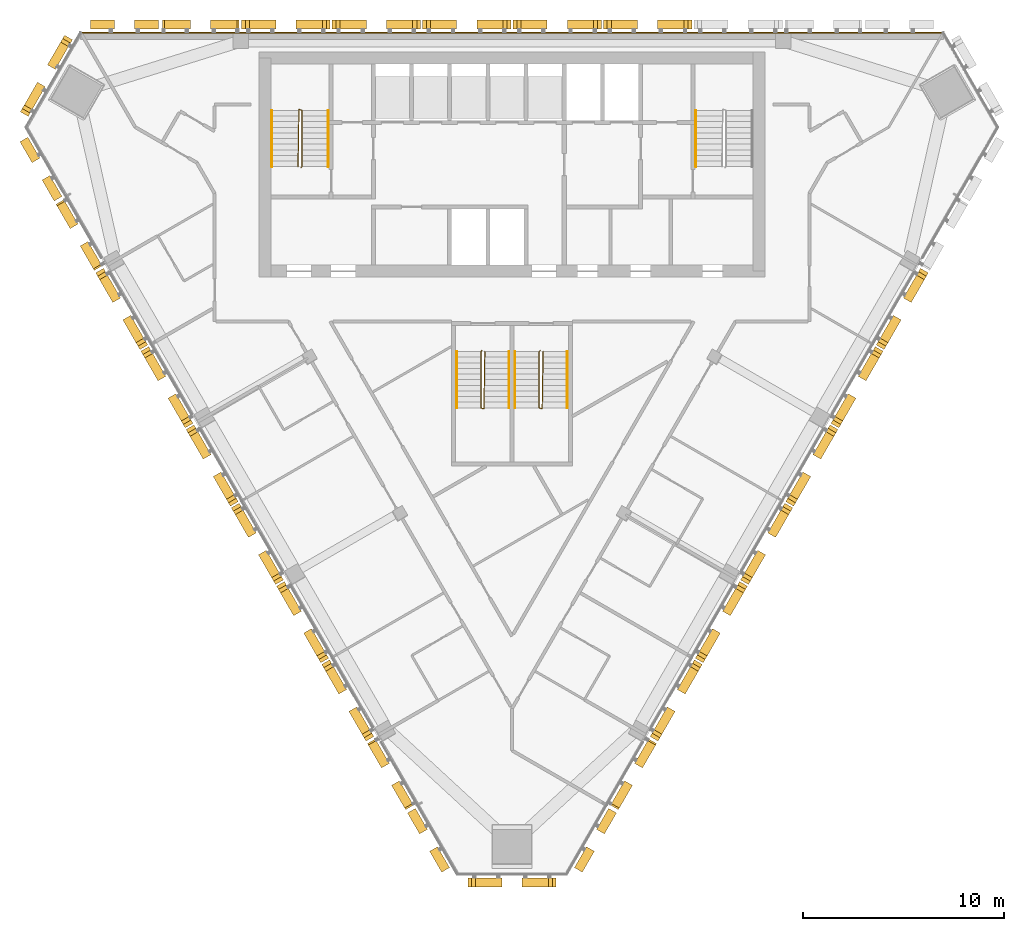
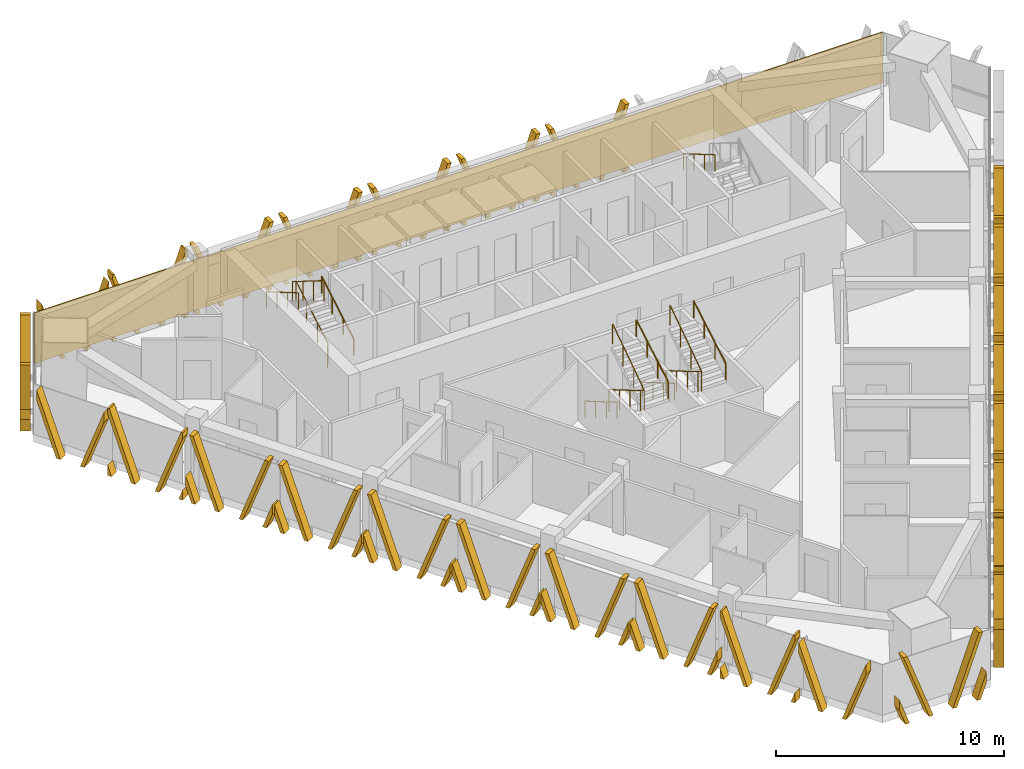
# One storey, part 12 of 14: 27 shading devices, 10 railings, 1 covering.
"""IFC4 building model written with IfcOpenShell, lengths in metres."""

from ifc_helpers import new_model, si_unit, direction, frame, frame_2d, origin, origin_2d, place, context, subcontext, project, spatial, polyline, rectangle, circle, outline, extrude, source, transform, mapped, material, layer, layer_set, type_object, element, save


model = new_model("IFC4")

# Units and contexts
model_context = context("Model", 3, precision=1e-05, world=origin(), true_north=direction((0.0, 1.0)))
body_context = subcontext(model_context, "Body", "Model", "MODEL_VIEW")
ifc_project = project(units=[si_unit("LENGTHUNIT", "METRE"), si_unit("AREAUNIT", "SQUARE_METRE"), si_unit("VOLUMEUNIT", "CUBIC_METRE"), si_unit("PLANEANGLEUNIT", "RADIAN"), si_unit("MASSUNIT", "GRAM", prefix="KILO")], contexts=[model_context])

# Site, building, storey
site_placement = place(None, origin())
site = spatial("IfcSite", under=ifc_project, at=site_placement, CompositionType="ELEMENT")
building_placement = place(site_placement, origin())
building = spatial("IfcBuilding", under=site, at=building_placement, Name="Altiplano Prism Tower", CompositionType="ELEMENT")
storey_placement = place(building_placement, frame((0.0, 0.0, 239.199951171875)))
storey = spatial("IfcBuildingStorey", under=building, at=storey_placement, Name="L61", CompositionType="ELEMENT", Elevation=239.199951171875)

# Railings
ifc_material_1 = material(Name="Steel S355", Category="steel")
railing_type_1 = type_object("IfcRailingType", Name="Stair guard 1100", PredefinedType="GUARDRAIL", material=ifc_material_1)
railing_1_placement = place(storey_placement, frame((74.5, 98.25, 0.0)))
element("IfcRailing", 1, at=railing_1_placement, inside=storey, type_object=railing_type_1, Name="L61 ST1 stair guard 1", PredefinedType="GUARDRAIL", context=body_context, shape_type="SweptSolid", body=[
    extrude(circle(Radius=0.02392578125, at=origin_2d()), frame((0.0, 0.0, 1.076171875), z_axis=(0.280808744504, 0.280808744504, 0.917765164963), x_axis=(-0.707106781187, 0.707106781187, 0.0)), (0.0, 0.0, 1.0), 0.17822265625),
    extrude(circle(Radius=0.02392578125, at=origin_2d()), frame((0.050048828125, 0.050048828125, 1.23974609375), z_axis=(0.0, 0.863360870873, 0.504586966384), x_axis=(-1.0, 0.0, 0.0)), (0.0, 0.0, 1.0), 3.2431640625),
    extrude(circle(Radius=0.02392578125, at=origin_2d()), frame((0.050048828125, 2.85009765625, 2.8759765625), z_axis=(-0.949145278916, 0.314838433982, 0.0), x_axis=(-0.314838433982, -0.949145278916, 0.0)), (0.0, 0.0, 1.0), 0.158203125),
    extrude(circle(Radius=0.02392578125, at=origin_2d()), frame((-0.10009765625, 2.89990234375, 2.8759765625), z_axis=(-0.01477401265, -0.845377694409, 0.533964682676), x_axis=(0.999847325713, -0.01747355902, 0.0)), (0.0, 0.0, 1.0), 3.37109375),
    extrude(circle(Radius=0.02099609375, at=origin_2d()), origin(), (0.0, 0.0, 1.0), 1.052001953125),
    extrude(circle(Radius=0.02099609375, at=origin_2d()), frame((0.050048828125, 0.050048828125, 0.16357421875)), (0.0, 0.0, 1.0), 1.052001953125),
    extrude(circle(Radius=0.02099609375, at=origin_2d()), frame((0.050048828125, 0.9833984375, 0.708984375)), (0.0, 0.0, 1.0), 1.052001953125),
    extrude(circle(Radius=0.02099609375, at=origin_2d()), frame((0.050048828125, 1.916748046875, 1.254638671875)), (0.0, 0.0, 1.0), 1.052001953125),
    extrude(circle(Radius=0.02099609375, at=origin_2d()), frame((0.050048828125, 2.85009765625, 1.800048828125)), (0.0, 0.0, 1.0), 1.052001953125),
    extrude(circle(Radius=0.02099609375, at=origin_2d()), frame((-0.10009765625, 2.89990234375, 1.800048828125)), (0.0, 0.0, 1.0), 1.052001953125),
    extrude(circle(Radius=0.02099609375, at=origin_2d()), frame((-0.11669921875, 1.949951171875, 2.400146484375)), (0.0, 0.0, 1.0), 1.052001953125),
    extrude(circle(Radius=0.02099609375, at=origin_2d()), frame((-0.13330078125, 1.0, 3.0)), (0.0, 0.0, 1.0), 1.052001953125),
    extrude(circle(Radius=0.02099609375, at=origin_2d()), frame((-0.14990234375, 0.050048828125, 3.60009765625)), (0.0, 0.0, 1.0), 1.052001953125),
])
railing_2_placement = place(storey_placement, frame((83.5, 89.14990234375, 0.0)))
element("IfcRailing", 2, at=railing_2_placement, inside=storey, type_object=railing_type_1, Name="L61 ST3A stair guard 1", PredefinedType="GUARDRAIL", context=body_context, shape_type="SweptSolid", body=[
    extrude(circle(Radius=0.02392578125, at=origin_2d()), frame((0.0, 0.0, 1.076171875), z_axis=(-0.280916556609, -0.279546231943, 0.91811752648), x_axis=(0.705375805398, -0.708833529934, 0.0)), (0.0, 0.0, 1.0), 0.17822265625),
    extrude(circle(Radius=0.02392578125, at=origin_2d()), frame((-0.050048828125, -0.0498046875, 1.23974609375), z_axis=(0.0, -0.863360870873, 0.504586966384), x_axis=(1.0, 0.0, 0.0)), (0.0, 0.0, 1.0), 3.2431640625),
    extrude(circle(Radius=0.02392578125, at=origin_2d()), frame((-0.050048828125, -2.849853515625, 2.8759765625), z_axis=(0.948683298051, -0.316227766017, 0.0), x_axis=(0.316227766017, 0.948683298051, 0.0)), (0.0, 0.0, 1.0), 0.158203125),
    extrude(circle(Radius=0.02392578125, at=origin_2d()), frame((0.10009765625, -2.89990234375, 2.8759765625), z_axis=(0.014773108175, 0.84539835705, 0.533931993021), x_axis=(-0.999847351862, 0.017472062685, 0.0)), (0.0, 0.0, 1.0), 3.371337890625),
    extrude(circle(Radius=0.02099609375, at=origin_2d()), origin(), (0.0, 0.0, 1.0), 1.052001953125),
    extrude(circle(Radius=0.02099609375, at=origin_2d()), frame((-0.050048828125, -0.0498046875, 0.16357421875)), (0.0, 0.0, 1.0), 1.052001953125),
    extrude(circle(Radius=0.02099609375, at=origin_2d()), frame((-0.050048828125, -0.983154296875, 0.708984375)), (0.0, 0.0, 1.0), 1.052001953125),
    extrude(circle(Radius=0.02099609375, at=origin_2d()), frame((-0.050048828125, -1.91650390625, 1.254638671875)), (0.0, 0.0, 1.0), 1.052001953125),
    extrude(circle(Radius=0.02099609375, at=origin_2d()), frame((-0.050048828125, -2.849853515625, 1.800048828125)), (0.0, 0.0, 1.0), 1.052001953125),
    extrude(circle(Radius=0.02099609375, at=origin_2d()), frame((0.10009765625, -2.89990234375, 1.800048828125)), (0.0, 0.0, 1.0), 1.052001953125),
    extrude(circle(Radius=0.02099609375, at=origin_2d()), frame((0.11669921875, -1.949951171875, 2.400146484375)), (0.0, 0.0, 1.0), 1.052001953125),
    extrude(circle(Radius=0.02099609375, at=origin_2d()), frame((0.13330078125, -0.999755859375, 3.0)), (0.0, 0.0, 1.0), 1.052001953125),
    extrude(circle(Radius=0.02099609375, at=origin_2d()), frame((0.14990234375, -0.0498046875, 3.60009765625)), (0.0, 0.0, 1.0), 1.052001953125),
])
railing_3_placement = place(storey_placement, frame((86.39990234375, 89.14990234375, 0.0)))
element("IfcRailing", 3, at=railing_3_placement, inside=storey, type_object=railing_type_1, Name="L61 ST3B stair guard 1", PredefinedType="GUARDRAIL", context=body_context, shape_type="SweptSolid", body=[
    extrude(circle(Radius=0.02392578125, at=origin_2d()), frame((0.0, 0.0, 1.076171875), z_axis=(-0.279653641804, -0.279653641804, 0.918470294159), x_axis=(0.707106781187, -0.707106781187, 0.0)), (0.0, 0.0, 1.0), 0.177978515625),
    extrude(circle(Radius=0.02392578125, at=origin_2d()), frame((-0.0498046875, -0.0498046875, 1.23974609375), z_axis=(0.0, -0.863360870873, 0.504586966384), x_axis=(1.0, 0.0, 0.0)), (0.0, 0.0, 1.0), 3.2431640625),
    extrude(circle(Radius=0.02392578125, at=origin_2d()), frame((-0.0498046875, -2.849853515625, 2.8759765625), z_axis=(0.948528701346, -0.316691178788, 0.0), x_axis=(0.316691178788, 0.948528701346, 0.0)), (0.0, 0.0, 1.0), 0.157958984375),
    extrude(circle(Radius=0.02392578125, at=origin_2d()), frame((0.10009765625, -2.89990234375, 2.8759765625), z_axis=(0.014845509451, 0.845397450405, 0.533931420407), x_axis=(-0.999845851991, 0.017557683712, 0.0)), (0.0, 0.0, 1.0), 3.371337890625),
    extrude(circle(Radius=0.02099609375, at=origin_2d()), origin(), (0.0, 0.0, 1.0), 1.052001953125),
    extrude(circle(Radius=0.02099609375, at=origin_2d()), frame((-0.0498046875, -0.0498046875, 0.16357421875)), (0.0, 0.0, 1.0), 1.052001953125),
    extrude(circle(Radius=0.02099609375, at=origin_2d()), frame((-0.0498046875, -0.983154296875, 0.708984375)), (0.0, 0.0, 1.0), 1.052001953125),
    extrude(circle(Radius=0.02099609375, at=origin_2d()), frame((-0.0498046875, -1.91650390625, 1.254638671875)), (0.0, 0.0, 1.0), 1.052001953125),
    extrude(circle(Radius=0.02099609375, at=origin_2d()), frame((-0.0498046875, -2.849853515625, 1.800048828125)), (0.0, 0.0, 1.0), 1.052001953125),
    extrude(circle(Radius=0.02099609375, at=origin_2d()), frame((0.10009765625, -2.89990234375, 1.800048828125)), (0.0, 0.0, 1.0), 1.052001953125),
    extrude(circle(Radius=0.02099609375, at=origin_2d()), frame((0.11669921875, -1.949951171875, 2.400146484375)), (0.0, 0.0, 1.0), 1.052001953125),
    extrude(circle(Radius=0.02099609375, at=origin_2d()), frame((0.133544921875, -0.999755859375, 3.0)), (0.0, 0.0, 1.0), 1.052001953125),
    extrude(circle(Radius=0.02099609375, at=origin_2d()), frame((0.150146484375, -0.0498046875, 3.60009765625)), (0.0, 0.0, 1.0), 1.052001953125),
])
railing_type_2 = type_object("IfcRailingType", Name="Stair handrail 900", PredefinedType="HANDRAIL", material=ifc_material_1)
railing_4_placement = place(storey_placement, frame((75.85009765625, 98.300048828125, 0.16357421875)))
element("IfcRailing", 4, at=railing_4_placement, inside=storey, type_object=railing_type_2, Name="L61 ST1 stair handrail 1", PredefinedType="HANDRAIL", context=body_context, shape_type="SweptSolid", body=[
    extrude(circle(Radius=0.02392578125, at=origin_2d()), frame((0.0, 0.0, 0.8759765625), z_axis=(0.0, 0.863360870873, 0.504586966384), x_axis=(-1.0, 0.0, 0.0)), (0.0, 0.0, 1.0), 3.2431640625),
    extrude(circle(Radius=0.02099609375, at=origin_2d()), origin(), (0.0, 0.0, 1.0), 0.851806640625),
    extrude(circle(Radius=0.02099609375, at=origin_2d()), frame((0.0, 0.933349609375, 0.54541015625)), (0.0, 0.0, 1.0), 0.851806640625),
    extrude(circle(Radius=0.02099609375, at=origin_2d()), frame((0.0, 1.86669921875, 1.091064453125)), (0.0, 0.0, 1.0), 0.851806640625),
    extrude(circle(Radius=0.02099609375, at=origin_2d()), frame((0.0, 2.800048828125, 1.636474609375)), (0.0, 0.0, 1.0), 0.851806640625),
])
for number, where, name in (
    (5, (73.050048828125, 101.10009765625, 1.963623046875), "L61 ST1 stair handrail 2"),
    (6, (94.14990234375, 101.10009765625, 1.963623046875), "L61 ST2 stair handrail 2"),
    (7, (82.25, 89.10009765625, 0.16357421875), "L61 ST3A stair handrail 1"),
):
    element("IfcRailing", number, at=place(storey_placement, frame(where)), inside=storey, type_object=railing_type_2, Name=name, PredefinedType="HANDRAIL", context=body_context, shape_type="SweptSolid", body=[
        extrude(circle(Radius=0.02392578125, at=origin_2d()), frame((0.0, 0.0, 0.8759765625), z_axis=(0.0, -0.863360870873, 0.504586966384), x_axis=(1.0, 0.0, 0.0)), (0.0, 0.0, 1.0), 3.2431640625),
        extrude(circle(Radius=0.02099609375, at=origin_2d()), origin(), (0.0, 0.0, 1.0), 0.851806640625),
        extrude(circle(Radius=0.02099609375, at=origin_2d()), frame((0.0, -0.933349609375, 0.54541015625)), (0.0, 0.0, 1.0), 0.851806640625),
        extrude(circle(Radius=0.02099609375, at=origin_2d()), frame((0.0, -1.86669921875, 1.091064453125)), (0.0, 0.0, 1.0), 0.851806640625),
        extrude(circle(Radius=0.02099609375, at=origin_2d()), frame((0.0, -2.800048828125, 1.636474609375)), (0.0, 0.0, 1.0), 0.851806640625),
    ])
railing_5_placement = place(storey_placement, frame((84.85009765625, 86.300048828125, 1.963623046875)))
element("IfcRailing", 8, at=railing_5_placement, inside=storey, type_object=railing_type_2, Name="L61 ST3A stair handrail 2", PredefinedType="HANDRAIL", context=body_context, shape_type="SweptSolid", body=[
    extrude(circle(Radius=0.02392578125, at=origin_2d()), frame((0.0, 0.0, 0.8759765625), z_axis=(0.0, 0.863360870873, 0.504586966384), x_axis=(-1.0, 0.0, 0.0)), (0.0, 0.0, 1.0), 3.2431640625),
    extrude(circle(Radius=0.02099609375, at=origin_2d()), origin(), (0.0, 0.0, 1.0), 0.851806640625),
    extrude(circle(Radius=0.02099609375, at=origin_2d()), frame((0.0, 0.933349609375, 0.54541015625)), (0.0, 0.0, 1.0), 0.851806640625),
    extrude(circle(Radius=0.02099609375, at=origin_2d()), frame((0.0, 1.86669921875, 1.091064453125)), (0.0, 0.0, 1.0), 0.851806640625),
    extrude(circle(Radius=0.02099609375, at=origin_2d()), frame((0.0, 2.800048828125, 1.636474609375)), (0.0, 0.0, 1.0), 0.851806640625),
])
railing_6_placement = place(storey_placement, frame((85.14990234375, 89.10009765625, 0.16357421875)))
element("IfcRailing", 9, at=railing_6_placement, inside=storey, type_object=railing_type_2, Name="L61 ST3B stair handrail 1", PredefinedType="HANDRAIL", context=body_context, shape_type="SweptSolid", body=[
    extrude(circle(Radius=0.02392578125, at=origin_2d()), frame((0.0, 0.0, 0.8759765625), z_axis=(0.0, -0.863360870873, 0.504586966384), x_axis=(1.0, 0.0, 0.0)), (0.0, 0.0, 1.0), 3.2431640625),
    extrude(circle(Radius=0.02099609375, at=origin_2d()), origin(), (0.0, 0.0, 1.0), 0.851806640625),
    extrude(circle(Radius=0.02099609375, at=origin_2d()), frame((0.0, -0.933349609375, 0.54541015625)), (0.0, 0.0, 1.0), 0.851806640625),
    extrude(circle(Radius=0.02099609375, at=origin_2d()), frame((0.0, -1.86669921875, 1.091064453125)), (0.0, 0.0, 1.0), 0.851806640625),
    extrude(circle(Radius=0.02099609375, at=origin_2d()), frame((0.0, -2.800048828125, 1.636474609375)), (0.0, 0.0, 1.0), 0.851806640625),
])
railing_7_placement = place(storey_placement, frame((87.75, 86.300048828125, 1.963623046875)))
element("IfcRailing", 10, at=railing_7_placement, inside=storey, type_object=railing_type_2, Name="L61 ST3B stair handrail 2", PredefinedType="HANDRAIL", context=body_context, shape_type="SweptSolid", body=[
    extrude(circle(Radius=0.02392578125, at=origin_2d()), frame((0.0, 0.0, 0.8759765625), z_axis=(0.0, 0.863360870873, 0.504586966384), x_axis=(-1.0, 0.0, 0.0)), (0.0, 0.0, 1.0), 3.2431640625),
    extrude(circle(Radius=0.02099609375, at=origin_2d()), origin(), (0.0, 0.0, 1.0), 0.851806640625),
    extrude(circle(Radius=0.02099609375, at=origin_2d()), frame((0.0, 0.933349609375, 0.54541015625)), (0.0, 0.0, 1.0), 0.851806640625),
    extrude(circle(Radius=0.02099609375, at=origin_2d()), frame((0.0, 1.86669921875, 1.091064453125)), (0.0, 0.0, 1.0), 0.851806640625),
    extrude(circle(Radius=0.02099609375, at=origin_2d()), frame((0.0, 2.800048828125, 1.636474609375)), (0.0, 0.0, 1.0), 0.851806640625),
])

# Covering
ifc_material_2 = material(Name="Warm limestone cast stone", Category="masonry")
ifc_layer = layer(ifc_material_2, 0.06005859375)
ifc_layer_set = layer_set([ifc_layer], Name="Warm limestone cast stone")
covering_type = type_object("IfcCoveringType", Name="Stone cladding 60", PredefinedType="CLADDING", material=ifc_layer_set)
covering_placement = place(storey_placement, frame((63.519775390625, 104.969970703125, 0.0), z_axis=(0.0, 0.0, 1.0), x_axis=(1.0, 0.0, 0.0)))
element("IfcCovering", 11, at=covering_placement, inside=storey, type_object=covering_type, Name="Stone cladding north face L61", PredefinedType="CLADDING", context=body_context, shape_type="SweptSolid", body=[
    extrude(rectangle(XDim=42.96044921875, YDim=0.06005859375, at=frame_2d((21.480224609375, 0.0))), origin(), (0.0, 0.0, 1.0), 2.699951171875),
])

# Shading devices
shading_device_type_1 = type_object("IfcShadingDeviceType", Name="Stone fin panel, standard unit", PredefinedType="USERDEFINED", material=ifc_material_2)
shared_shape_1 = source(origin(), body_context, "Body", "SweptSolid", [
    extrude(outline(polyline([(-2.199951171875, 1.373779296875), (-2.199951171875, 0.82421875), (-1.89990234375, 0.0), (-1.699951171875, 0.0), (-2.199951171875, 1.373779296875)])), frame((0.0, -0.14990234375, 0.0), z_axis=(0.0, -1.0, 0.0), x_axis=(1.0, 0.0, 0.0)), (0.0, 0.0, 1.0), 0.4501953125),
    extrude(outline(polyline([(-2.01025390625, 3.60009765625), (-0.699951171875, 0.0), (-0.5, 0.0), (-1.810302734375, 3.60009765625), (-2.01025390625, 3.60009765625)])), frame((0.0, -0.14990234375, 0.0), z_axis=(0.0, -1.0, 0.0), x_axis=(1.0, 0.0, 0.0)), (0.0, 0.0, 1.0), 0.4501953125),
    extrude(outline(polyline([(1.810302734375, 3.60009765625), (0.5, 0.0), (0.699951171875, 0.0), (2.01025390625, 3.60009765625), (1.810302734375, 3.60009765625)])), frame((0.0, -0.14990234375, 0.0), z_axis=(0.0, -1.0, 0.0), x_axis=(1.0, 0.0, 0.0)), (0.0, 0.0, 1.0), 0.4501953125),
    extrude(outline(polyline([(2.199951171875, 0.82421875), (2.199951171875, 1.373779296875), (1.699951171875, 0.0), (1.89990234375, 0.0), (2.199951171875, 0.82421875)])), frame((0.0, -0.14990234375, 0.0), z_axis=(0.0, -1.0, 0.0), x_axis=(1.0, 0.0, 0.0)), (0.0, 0.0, 1.0), 0.4501953125),
])
shading_device_1_placement = place(storey_placement, origin())
element("IfcShadingDevice", 12, at=shading_device_1_placement, inside=storey, type_object=shading_device_type_1, Name="Fin L61 north face 4", ObjectType="FIN", PredefinedType="USERDEFINED", context=body_context, shape_type="MappedRepresentation", body=[
    mapped(shared_shape_1, transform((91.75, 105.0, -0.39990234375), x_axis=(-1.0, 0.0, 0.0), y_axis=(0.0, -1.0, 0.0), z_axis=(0.0, 0.0, 1.0))),
])
shading_device_2_placement = place(storey_placement, origin())
element("IfcShadingDevice", 13, at=shading_device_2_placement, inside=storey, type_object=shading_device_type_1, Name="Fin L61 north face 5", ObjectType="FIN", PredefinedType="USERDEFINED", context=body_context, shape_type="MappedRepresentation", body=[
    mapped(shared_shape_1, transform((87.25, 105.0, -0.39990234375), x_axis=(-1.0, 0.0, 0.0), y_axis=(0.0, -1.0, 0.0), z_axis=(0.0, 0.0, 1.0))),
])
shading_device_3_placement = place(storey_placement, origin())
element("IfcShadingDevice", 14, at=shading_device_3_placement, inside=storey, type_object=shading_device_type_1, Name="Fin L61 north face 6", ObjectType="FIN", PredefinedType="USERDEFINED", context=body_context, shape_type="MappedRepresentation", body=[
    mapped(shared_shape_1, transform((82.75, 105.0, -0.39990234375), x_axis=(-1.0, 0.0, 0.0), y_axis=(0.0, -1.0, 0.0), z_axis=(0.0, 0.0, 1.0))),
])
shading_device_4_placement = place(storey_placement, origin())
element("IfcShadingDevice", 15, at=shading_device_4_placement, inside=storey, type_object=shading_device_type_1, Name="Fin L61 north face 7", ObjectType="FIN", PredefinedType="USERDEFINED", context=body_context, shape_type="MappedRepresentation", body=[
    mapped(shared_shape_1, transform((78.25, 105.0, -0.39990234375), x_axis=(-1.0, 0.0, 0.0), y_axis=(0.0, -1.0, 0.0), z_axis=(0.0, 0.0, 1.0))),
])
shading_device_5_placement = place(storey_placement, origin())
element("IfcShadingDevice", 16, at=shading_device_5_placement, inside=storey, type_object=shading_device_type_1, Name="Fin L61 north face 8", ObjectType="FIN", PredefinedType="USERDEFINED", context=body_context, shape_type="MappedRepresentation", body=[
    mapped(shared_shape_1, transform((73.75, 105.0, -0.39990234375), x_axis=(-1.0, 0.0, 0.0), y_axis=(0.0, -1.0, 0.0), z_axis=(0.0, 0.0, 1.0))),
])
shading_device_type_2 = type_object("IfcShadingDeviceType", Name="Stone fin panel, chamfer unit", PredefinedType="USERDEFINED", material=ifc_material_2)
shading_device_6_placement = place(storey_placement, origin())
element("IfcShadingDevice", 17, at=shading_device_6_placement, inside=storey, type_object=shading_device_type_2, Name="Fin L61 north-west chamfer 1", ObjectType="FIN", PredefinedType="USERDEFINED", context=body_context, shape_type="MappedRepresentation", body=[
    mapped(shared_shape_1, transform((62.154052734375, 102.634521484375, -0.39990234375), x_axis=(-0.499999932769, -0.8660254426, 0.0), y_axis=(0.8660254426, -0.499999932769, 0.0), z_axis=(0.0, 0.0, 1.0))),
])
shading_device_7_placement = place(storey_placement, origin())
element("IfcShadingDevice", 18, at=shading_device_7_placement, inside=storey, type_object=shading_device_type_1, Name="Fin L61 south-west face 3", ObjectType="FIN", PredefinedType="USERDEFINED", context=body_context, shape_type="MappedRepresentation", body=[
    mapped(shared_shape_1, transform((65.9033203125, 91.409423828125, -0.39990234375), x_axis=(0.50000000184, -0.866025402722, 0.0), y_axis=(0.866025402722, 0.50000000184, 0.0), z_axis=(0.0, 0.0, 1.0))),
])
shading_device_8_placement = place(storey_placement, origin())
element("IfcShadingDevice", 19, at=shading_device_8_placement, inside=storey, type_object=shading_device_type_1, Name="Fin L61 south-west face 4", ObjectType="FIN", PredefinedType="USERDEFINED", context=body_context, shape_type="MappedRepresentation", body=[
    mapped(shared_shape_1, transform((68.1533203125, 87.51220703125, -0.39990234375), x_axis=(0.50000000184, -0.866025402722, 0.0), y_axis=(0.866025402722, 0.50000000184, 0.0), z_axis=(0.0, 0.0, 1.0))),
])
shading_device_9_placement = place(storey_placement, origin())
element("IfcShadingDevice", 20, at=shading_device_9_placement, inside=storey, type_object=shading_device_type_1, Name="Fin L61 south-west face 5", ObjectType="FIN", PredefinedType="USERDEFINED", context=body_context, shape_type="MappedRepresentation", body=[
    mapped(shared_shape_1, transform((70.4033203125, 83.614990234375, -0.39990234375), x_axis=(0.50000000184, -0.866025402722, 0.0), y_axis=(0.866025402722, 0.50000000184, 0.0), z_axis=(0.0, 0.0, 1.0))),
])
shading_device_10_placement = place(storey_placement, origin())
element("IfcShadingDevice", 21, at=shading_device_10_placement, inside=storey, type_object=shading_device_type_1, Name="Fin L61 south-west face 6", ObjectType="FIN", PredefinedType="USERDEFINED", context=body_context, shape_type="MappedRepresentation", body=[
    mapped(shared_shape_1, transform((72.6533203125, 79.718017578125, -0.39990234375), x_axis=(0.50000000184, -0.866025402722, 0.0), y_axis=(0.866025402722, 0.50000000184, 0.0), z_axis=(0.0, 0.0, 1.0))),
])
shading_device_11_placement = place(storey_placement, origin())
element("IfcShadingDevice", 22, at=shading_device_11_placement, inside=storey, type_object=shading_device_type_1, Name="Fin L61 south-west face 7", ObjectType="FIN", PredefinedType="USERDEFINED", context=body_context, shape_type="MappedRepresentation", body=[
    mapped(shared_shape_1, transform((74.9033203125, 75.82080078125, -0.39990234375), x_axis=(0.50000000184, -0.866025402722, 0.0), y_axis=(0.866025402722, 0.50000000184, 0.0), z_axis=(0.0, 0.0, 1.0))),
])
shading_device_12_placement = place(storey_placement, origin())
element("IfcShadingDevice", 23, at=shading_device_12_placement, inside=storey, type_object=shading_device_type_1, Name="Fin L61 south-west face 8", ObjectType="FIN", PredefinedType="USERDEFINED", context=body_context, shape_type="MappedRepresentation", body=[
    mapped(shared_shape_1, transform((77.1533203125, 71.923828125, -0.39990234375), x_axis=(0.50000000184, -0.866025402722, 0.0), y_axis=(0.866025402722, 0.50000000184, 0.0), z_axis=(0.0, 0.0, 1.0))),
])
shading_device_13_placement = place(storey_placement, origin())
element("IfcShadingDevice", 24, at=shading_device_13_placement, inside=storey, type_object=shading_device_type_2, Name="Fin L61 south chamfer 1", ObjectType="FIN", PredefinedType="USERDEFINED", context=body_context, shape_type="MappedRepresentation", body=[
    mapped(shared_shape_1, transform((85.0, 63.064208984375, -0.39990234375), x_axis=(1.0, 0.0, 0.0), y_axis=(0.0, 1.0, 0.0), z_axis=(0.0, 0.0, 1.0))),
])
shading_device_14_placement = place(storey_placement, origin())
element("IfcShadingDevice", 25, at=shading_device_14_placement, inside=storey, type_object=shading_device_type_1, Name="Fin L61 south-east face 3", ObjectType="FIN", PredefinedType="USERDEFINED", context=body_context, shape_type="MappedRepresentation", body=[
    mapped(shared_shape_1, transform((92.8466796875, 71.923828125, -0.39990234375), x_axis=(0.50000000184, 0.866025402722, 0.0), y_axis=(-0.866025402722, 0.50000000184, 0.0), z_axis=(0.0, 0.0, 1.0))),
])
shading_device_15_placement = place(storey_placement, origin())
element("IfcShadingDevice", 26, at=shading_device_15_placement, inside=storey, type_object=shading_device_type_1, Name="Fin L61 south-east face 4", ObjectType="FIN", PredefinedType="USERDEFINED", context=body_context, shape_type="MappedRepresentation", body=[
    mapped(shared_shape_1, transform((95.0966796875, 75.82080078125, -0.39990234375), x_axis=(0.50000000184, 0.866025402722, 0.0), y_axis=(-0.866025402722, 0.50000000184, 0.0), z_axis=(0.0, 0.0, 1.0))),
])
shading_device_16_placement = place(storey_placement, origin())
element("IfcShadingDevice", 27, at=shading_device_16_placement, inside=storey, type_object=shading_device_type_1, Name="Fin L61 south-east face 5", ObjectType="FIN", PredefinedType="USERDEFINED", context=body_context, shape_type="MappedRepresentation", body=[
    mapped(shared_shape_1, transform((97.3466796875, 79.718017578125, -0.39990234375), x_axis=(0.50000000184, 0.866025402722, 0.0), y_axis=(-0.866025402722, 0.50000000184, 0.0), z_axis=(0.0, 0.0, 1.0))),
])
shading_device_17_placement = place(storey_placement, origin())
element("IfcShadingDevice", 28, at=shading_device_17_placement, inside=storey, type_object=shading_device_type_1, Name="Fin L61 south-east face 6", ObjectType="FIN", PredefinedType="USERDEFINED", context=body_context, shape_type="MappedRepresentation", body=[
    mapped(shared_shape_1, transform((99.5966796875, 83.614990234375, -0.39990234375), x_axis=(0.50000000184, 0.866025402722, 0.0), y_axis=(-0.866025402722, 0.50000000184, 0.0), z_axis=(0.0, 0.0, 1.0))),
])
shading_device_18_placement = place(storey_placement, origin())
element("IfcShadingDevice", 29, at=shading_device_18_placement, inside=storey, type_object=shading_device_type_1, Name="Fin L61 south-east face 7", ObjectType="FIN", PredefinedType="USERDEFINED", context=body_context, shape_type="MappedRepresentation", body=[
    mapped(shared_shape_1, transform((101.8466796875, 87.51220703125, -0.39990234375), x_axis=(0.50000000184, 0.866025402722, 0.0), y_axis=(-0.866025402722, 0.50000000184, 0.0), z_axis=(0.0, 0.0, 1.0))),
])
shading_device_19_placement = place(storey_placement, origin())
element("IfcShadingDevice", 30, at=shading_device_19_placement, inside=storey, type_object=shading_device_type_1, Name="Fin L61 south-east face 8", ObjectType="FIN", PredefinedType="USERDEFINED", context=body_context, shape_type="MappedRepresentation", body=[
    mapped(shared_shape_1, transform((104.0966796875, 91.409423828125, -0.39990234375), x_axis=(0.50000000184, 0.866025402722, 0.0), y_axis=(-0.866025402722, 0.50000000184, 0.0), z_axis=(0.0, 0.0, 1.0))),
])
shading_device_type_3 = type_object("IfcShadingDeviceType", Name="Stone fin panel, narrow closing bay", PredefinedType="USERDEFINED", material=ifc_material_2)
shared_shape_2 = source(origin(), body_context, "Body", "SweptSolid", [
    extrude(outline(polyline([(-1.699951171875, 3.297119140625), (-1.699951171875, 2.74755859375), (-0.699951171875, 0.0), (-0.5, 0.0), (-1.699951171875, 3.297119140625)])), frame((0.0, -0.14990234375, 0.0), z_axis=(0.0, -1.0, 0.0), x_axis=(1.0, 0.0, 0.0)), (0.0, 0.0, 1.0), 0.4501953125),
    extrude(outline(polyline([(1.699951171875, 2.74755859375), (1.699951171875, 3.297119140625), (0.5, 0.0), (0.699951171875, 0.0), (1.699951171875, 2.74755859375)])), frame((0.0, -0.14990234375, 0.0), z_axis=(0.0, -1.0, 0.0), x_axis=(1.0, 0.0, 0.0)), (0.0, 0.0, 1.0), 0.4501953125),
])
shading_device_20_placement = place(storey_placement, origin())
element("IfcShadingDevice", 31, at=shading_device_20_placement, inside=storey, type_object=shading_device_type_3, Name="Fin L61 north face 10", ObjectType="FIN", PredefinedType="USERDEFINED", context=body_context, shape_type="MappedRepresentation", body=[
    mapped(shared_shape_2, transform((65.71484375, 105.0, -0.39990234375), x_axis=(-1.0, 0.0, 0.0), y_axis=(0.0, -1.0, 0.0), z_axis=(0.0, 0.0, 1.0))),
])
shading_device_21_placement = place(storey_placement, origin())
element("IfcShadingDevice", 32, at=shading_device_21_placement, inside=storey, type_object=shading_device_type_3, Name="Fin L61 south-west face 1", ObjectType="FIN", PredefinedType="USERDEFINED", context=body_context, shape_type="MappedRepresentation", body=[
    mapped(shared_shape_2, transform((61.8857421875, 98.367919921875, -0.39990234375), x_axis=(0.50000000184, -0.866025402722, 0.0), y_axis=(0.866025402722, 0.50000000184, 0.0), z_axis=(0.0, 0.0, 1.0))),
])
shading_device_22_placement = place(storey_placement, origin())
element("IfcShadingDevice", 33, at=shading_device_22_placement, inside=storey, type_object=shading_device_type_3, Name="Fin L61 south-west face 10", ObjectType="FIN", PredefinedType="USERDEFINED", context=body_context, shape_type="MappedRepresentation", body=[
    mapped(shared_shape_2, transform((81.1708984375, 64.965087890625, -0.39990234375), x_axis=(0.50000000184, -0.866025402722, 0.0), y_axis=(0.866025402722, 0.50000000184, 0.0), z_axis=(0.0, 0.0, 1.0))),
])
shading_device_23_placement = place(storey_placement, origin())
element("IfcShadingDevice", 34, at=shading_device_23_placement, inside=storey, type_object=shading_device_type_3, Name="Fin L61 south-east face 1", ObjectType="FIN", PredefinedType="USERDEFINED", context=body_context, shape_type="MappedRepresentation", body=[
    mapped(shared_shape_2, transform((88.8291015625, 64.965087890625, -0.39990234375), x_axis=(0.50000000184, 0.866025402722, 0.0), y_axis=(-0.866025402722, 0.50000000184, 0.0), z_axis=(0.0, 0.0, 1.0))),
])
shared_shape_3 = source(origin(), body_context, "Body", "SweptSolid", [
    extrude(outline(polyline([(-1.89990234375, 3.60009765625), (-1.89990234375, 3.297119140625), (-0.699951171875, 0.0), (-0.5, 0.0), (-1.810302734375, 3.60009765625), (-1.89990234375, 3.60009765625)])), frame((0.0, -0.14990234375, 0.0), z_axis=(0.0, -1.0, 0.0), x_axis=(1.0, 0.0, 0.0)), (0.0, 0.0, 1.0), 0.4501953125),
    extrude(outline(polyline([(-1.89990234375, 0.549560546875), (-1.89990234375, 0.0), (-1.699951171875, 0.0), (-1.89990234375, 0.549560546875)])), frame((0.0, -0.14990234375, 0.0), z_axis=(0.0, -1.0, 0.0), x_axis=(1.0, 0.0, 0.0)), (0.0, 0.0, 1.0), 0.4501953125),
    extrude(outline(polyline([(1.810302734375, 3.60009765625), (0.5, 0.0), (0.699951171875, 0.0), (1.89990234375, 3.297119140625), (1.89990234375, 3.60009765625), (1.810302734375, 3.60009765625)])), frame((0.0, -0.14990234375, 0.0), z_axis=(0.0, -1.0, 0.0), x_axis=(1.0, 0.0, 0.0)), (0.0, 0.0, 1.0), 0.4501953125),
    extrude(outline(polyline([(1.89990234375, 0.0), (1.89990234375, 0.549560546875), (1.699951171875, 0.0), (1.89990234375, 0.0)])), frame((0.0, -0.14990234375, 0.0), z_axis=(0.0, -1.0, 0.0), x_axis=(1.0, 0.0, 0.0)), (0.0, 0.0, 1.0), 0.4501953125),
])
shading_device_24_placement = place(storey_placement, origin())
element("IfcShadingDevice", 35, at=shading_device_24_placement, inside=storey, type_object=shading_device_type_3, Name="Fin L61 north face 9", ObjectType="FIN", PredefinedType="USERDEFINED", context=body_context, shape_type="MappedRepresentation", body=[
    mapped(shared_shape_3, transform((69.5048828125, 105.0, -0.39990234375), x_axis=(-1.0, 0.0, 0.0), y_axis=(0.0, -1.0, 0.0), z_axis=(0.0, 0.0, 1.0))),
])
shading_device_25_placement = place(storey_placement, origin())
element("IfcShadingDevice", 36, at=shading_device_25_placement, inside=storey, type_object=shading_device_type_3, Name="Fin L61 south-west face 2", ObjectType="FIN", PredefinedType="USERDEFINED", context=body_context, shape_type="MappedRepresentation", body=[
    mapped(shared_shape_3, transform((63.781005859375, 95.085693359375, -0.39990234375), x_axis=(0.50000000184, -0.866025402722, 0.0), y_axis=(0.866025402722, 0.50000000184, 0.0), z_axis=(0.0, 0.0, 1.0))),
])
shading_device_26_placement = place(storey_placement, origin())
element("IfcShadingDevice", 37, at=shading_device_26_placement, inside=storey, type_object=shading_device_type_3, Name="Fin L61 south-west face 9", ObjectType="FIN", PredefinedType="USERDEFINED", context=body_context, shape_type="MappedRepresentation", body=[
    mapped(shared_shape_3, transform((79.27587890625, 68.247314453125, -0.39990234375), x_axis=(0.50000000184, -0.866025402722, 0.0), y_axis=(0.866025402722, 0.50000000184, 0.0), z_axis=(0.0, 0.0, 1.0))),
])
shading_device_27_placement = place(storey_placement, origin())
element("IfcShadingDevice", 38, at=shading_device_27_placement, inside=storey, type_object=shading_device_type_3, Name="Fin L61 south-east face 2", ObjectType="FIN", PredefinedType="USERDEFINED", context=body_context, shape_type="MappedRepresentation", body=[
    mapped(shared_shape_3, transform((90.72412109375, 68.247314453125, -0.39990234375), x_axis=(0.50000000184, 0.866025402722, 0.0), y_axis=(-0.866025402722, 0.50000000184, 0.0), z_axis=(0.0, 0.0, 1.0))),
])

save(model, "model.ifc")
